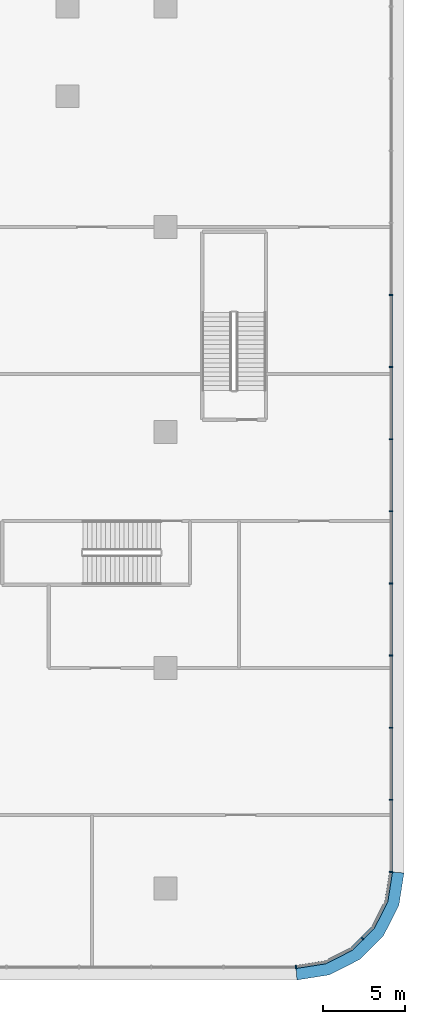
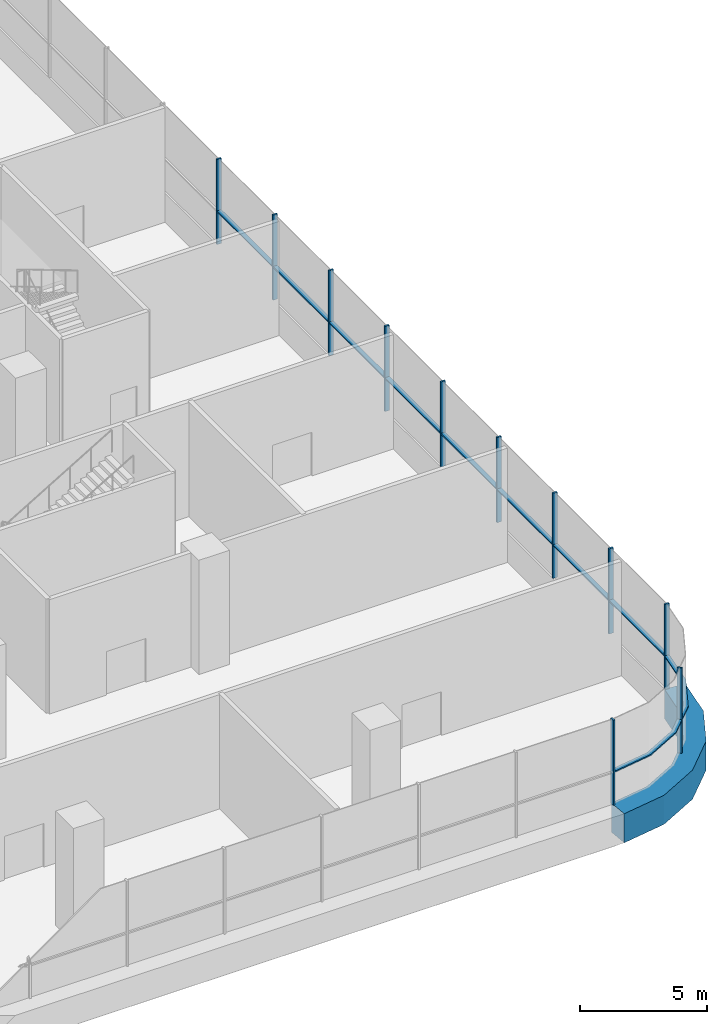
# One storey, part 18 of 52: 22 members, 2 elements without a shape of their own.
"""IFC4 building model written with IfcOpenShell, lengths in metres."""

from ifc_helpers import new_model, si_unit, direction, frame, origin, origin_2d, place, context, subcontext, project, spatial, polyline, rectangle, outline, extrude, material, layer, layer_set, material_profile, profile_set, type_object, element, aggregate, save


model = new_model("IFC4")

# Units and contexts
model_context = context("Model", 3, precision=1e-05, world=origin(), true_north=direction((0.0, 1.0)))
body_context = subcontext(model_context, "Body", "Model", "MODEL_VIEW")
ifc_project = project(units=[si_unit("LENGTHUNIT", "METRE"), si_unit("AREAUNIT", "SQUARE_METRE"), si_unit("VOLUMEUNIT", "CUBIC_METRE"), si_unit("PLANEANGLEUNIT", "RADIAN"), si_unit("MASSUNIT", "GRAM", prefix="KILO")], contexts=[model_context])

# Site, building, storey
site_placement = place(None, origin())
site = spatial("IfcSite", under=ifc_project, at=site_placement, CompositionType="ELEMENT")
building_placement = place(site_placement, origin())
building = spatial("IfcBuilding", under=site, at=building_placement, Name="Tamarind Cross Interchange Tower", CompositionType="ELEMENT")
storey_placement = place(building_placement, frame((0.0, 0.0, 9.0)))
storey = spatial("IfcBuildingStorey", under=building, at=storey_placement, Name="L01", CompositionType="ELEMENT", Elevation=9.0)

# Curtain wall, member
ifc_material_1 = material(Name="Aluminium 6063-T6", Category="aluminium")
ifc_layer = layer(ifc_material_1, 0.199951171875)
ifc_layer_set = layer_set([ifc_layer], Name="Aluminium 6063-T6")
curtain_wall_type = type_object("IfcCurtainWallType", Name="Podium shopfront and station curtain wall", PredefinedType="NOTDEFINED", material=ifc_layer_set)
curtain_wall_1_placement = place(storey_placement, origin())
curtain_wall_1 = element("IfcCurtainWall", 1, at=curtain_wall_1_placement, inside=storey, type_object=curtain_wall_type, Name="CWS-L01-07", PredefinedType="NOTDEFINED")
ifc_material_2 = material(Name="Aluminium and insulated spandrel panel", Category="aluminium")
member_type_1 = type_object("IfcMemberType", Name="Floor-edge blade transom", PredefinedType="USERDEFINED", material=ifc_material_2)
member_1_placement = place(storey_placement, origin())
member_1 = element("IfcMember", 2, at=member_1_placement, type_object=member_type_1, Name="CWT-L01-07", ObjectType="TRANSOM", PredefinedType="USERDEFINED", context=body_context, shape_type="SweptSolid", body=[
    extrude(outline(polyline([(61.976318359375, -58.699951171875), (63.76025390625, -58.41748046875), (65.34814453125, -57.6083984375), (66.6083984375, -56.34814453125), (67.41748046875, -54.76025390625), (67.699951171875, -52.976318359375), (68.60009765625, -53.047119140625), (68.2841796875, -55.041748046875), (67.345458984375, -56.8837890625), (65.8837890625, -58.345458984375), (64.041748046875, -59.2841796875), (62.047119140625, -59.60009765625), (61.976318359375, -58.699951171875)])), origin(), (0.0, 0.0, 1.0), 1.39990234375),
])

# Curtain wall, members
curtain_wall_2_placement = place(storey_placement, origin())
curtain_wall_2 = element("IfcCurtainWall", 3, at=curtain_wall_2_placement, inside=storey, type_object=curtain_wall_type, Name="CWS-L01-00", PredefinedType="NOTDEFINED")
ifc_material_profile = material_profile(ifc_material_1, rectangle(XDim=0.080078125, YDim=0.199951171875, at=origin_2d()), Name="Mullion CW3")
ifc_profile_set = profile_set([ifc_material_profile], Name="Aluminium 6063-T6")
member_type_2 = type_object("IfcMemberType", Name="Mullion CW3", PredefinedType="MULLION", material=ifc_profile_set)
member_2_placement = place(storey_placement, frame((67.800048828125, -52.984375, 1.39990234375), z_axis=(0.0, 0.0, 1.0), x_axis=(0.078459095728, 0.996917333733, 0.0)))
member_2 = element("IfcMember", 4, at=member_2_placement, type_object=member_type_2, Name="CWM-L01-00-00", PredefinedType="MULLION", context=body_context, shape_type="SweptSolid", body=[
    extrude(rectangle(XDim=0.080078125, YDim=0.199951171875, at=origin_2d()), origin(), (0.0, 0.0, 1.0), 4.10009765625),
])
member_3_placement = place(storey_placement, frame((67.800048828125, -48.56884765625, 1.39990234375), z_axis=(0.0, 0.0, 1.0), x_axis=(0.0, 1.0, 0.0)))
member_3 = element("IfcMember", 5, at=member_3_placement, type_object=member_type_2, Name="CWM-L01-00-01", PredefinedType="MULLION", context=body_context, shape_type="SweptSolid", body=[
    extrude(rectangle(XDim=0.080078125, YDim=0.199951171875, at=origin_2d()), origin(), (0.0, 0.0, 1.0), 4.10009765625),
])
member_4_placement = place(storey_placement, frame((67.800048828125, -44.153564453125, 1.39990234375), z_axis=(0.0, 0.0, 1.0), x_axis=(0.0, 1.0, 0.0)))
member_4 = element("IfcMember", 6, at=member_4_placement, type_object=member_type_2, Name="CWM-L01-00-02", PredefinedType="MULLION", context=body_context, shape_type="SweptSolid", body=[
    extrude(rectangle(XDim=0.080078125, YDim=0.199951171875, at=origin_2d()), origin(), (0.0, 0.0, 1.0), 4.10009765625),
])
member_5_placement = place(storey_placement, frame((67.800048828125, -39.73828125, 1.39990234375), z_axis=(0.0, 0.0, 1.0), x_axis=(0.0, 1.0, 0.0)))
member_5 = element("IfcMember", 7, at=member_5_placement, type_object=member_type_2, Name="CWM-L01-00-03", PredefinedType="MULLION", context=body_context, shape_type="SweptSolid", body=[
    extrude(rectangle(XDim=0.080078125, YDim=0.199951171875, at=origin_2d()), origin(), (0.0, 0.0, 1.0), 4.10009765625),
])
member_6_placement = place(storey_placement, frame((67.800048828125, -35.32275390625, 1.39990234375), z_axis=(0.0, 0.0, 1.0), x_axis=(0.0, 1.0, 0.0)))
member_6 = element("IfcMember", 8, at=member_6_placement, type_object=member_type_2, Name="CWM-L01-00-04", PredefinedType="MULLION", context=body_context, shape_type="SweptSolid", body=[
    extrude(rectangle(XDim=0.080078125, YDim=0.199951171875, at=origin_2d()), origin(), (0.0, 0.0, 1.0), 4.10009765625),
])
member_7_placement = place(storey_placement, frame((67.800048828125, -30.907470703125, 1.39990234375), z_axis=(0.0, 0.0, 1.0), x_axis=(0.0, 1.0, 0.0)))
member_7 = element("IfcMember", 9, at=member_7_placement, type_object=member_type_2, Name="CWM-L01-00-05", PredefinedType="MULLION", context=body_context, shape_type="SweptSolid", body=[
    extrude(rectangle(XDim=0.080078125, YDim=0.199951171875, at=origin_2d()), origin(), (0.0, 0.0, 1.0), 4.10009765625),
])
member_8_placement = place(storey_placement, frame((67.800048828125, -26.4921875, 1.39990234375), z_axis=(0.0, 0.0, 1.0), x_axis=(0.0, 1.0, 0.0)))
member_8 = element("IfcMember", 10, at=member_8_placement, type_object=member_type_2, Name="CWM-L01-00-06", PredefinedType="MULLION", context=body_context, shape_type="SweptSolid", body=[
    extrude(rectangle(XDim=0.080078125, YDim=0.199951171875, at=origin_2d()), origin(), (0.0, 0.0, 1.0), 4.10009765625),
])
member_9_placement = place(storey_placement, frame((67.800048828125, -22.07666015625, 1.39990234375), z_axis=(0.0, 0.0, 1.0), x_axis=(0.0, 1.0, 0.0)))
member_9 = element("IfcMember", 11, at=member_9_placement, type_object=member_type_2, Name="CWM-L01-00-07", PredefinedType="MULLION", context=body_context, shape_type="SweptSolid", body=[
    extrude(rectangle(XDim=0.080078125, YDim=0.199951171875, at=origin_2d()), origin(), (0.0, 0.0, 1.0), 4.10009765625),
])
member_10_placement = place(storey_placement, frame((67.800048828125, -17.661376953125, 1.39990234375), z_axis=(0.0, 0.0, 1.0), x_axis=(0.0, 1.0, 0.0)))
member_10 = element("IfcMember", 12, at=member_10_placement, type_object=member_type_2, Name="CWM-L01-00-08", PredefinedType="MULLION", context=body_context, shape_type="SweptSolid", body=[
    extrude(rectangle(XDim=0.080078125, YDim=0.199951171875, at=origin_2d()), origin(), (0.0, 0.0, 1.0), 4.10009765625),
])

# Member
member_11_placement = place(storey_placement, frame((61.984375, -58.800048828125, 1.39990234375), z_axis=(0.0, 0.0, 1.0), x_axis=(0.996917333733, 0.078459095728, 0.0)))
member_11 = element("IfcMember", 13, at=member_11_placement, type_object=member_type_2, Name="CWM-L01-07-00", PredefinedType="MULLION", context=body_context, shape_type="SweptSolid", body=[
    extrude(rectangle(XDim=0.080078125, YDim=0.199951171875, at=origin_2d()), origin(), (0.0, 0.0, 1.0), 4.10009765625),
])

member_12_placement = place(storey_placement, frame((66.049072265625, -57.049072265625, 1.39990234375), z_axis=(0.0, 0.0, 1.0), x_axis=(0.707106781187, 0.707106781187, 0.0)))
member_12 = element("IfcMember", 14, at=member_12_placement, type_object=member_type_2, Name="CWM-L01-07-01", PredefinedType="MULLION", context=body_context, shape_type="SweptSolid", body=[
    extrude(rectangle(XDim=0.080078125, YDim=0.199951171875, at=origin_2d()), origin(), (0.0, 0.0, 1.0), 4.10009765625),
])

member_type_3 = type_object("IfcMemberType", Name="Podium intermediate transom", PredefinedType="USERDEFINED", material=ifc_material_1)
member_13_placement = place(storey_placement, frame((0.0, 0.0, 2.969970703125)))
member_13 = element("IfcMember", 15, at=member_13_placement, type_object=member_type_3, Name="CWT-L01-00-I0-00", ObjectType="TRANSOM", PredefinedType="USERDEFINED", context=body_context, shape_type="SweptSolid", body=[
    extrude(outline(polyline([(67.699951171875, -52.9443359375), (67.699951171875, -48.60888671875), (67.89990234375, -48.60888671875), (67.89990234375, -52.9443359375), (67.699951171875, -52.9443359375)])), origin(), (0.0, 0.0, 1.0), 0.06005859375),
])

member_14_placement = place(storey_placement, frame((0.0, 0.0, 2.969970703125)))
member_14 = element("IfcMember", 16, at=member_14_placement, type_object=member_type_3, Name="CWT-L01-00-I0-01", ObjectType="TRANSOM", PredefinedType="USERDEFINED", context=body_context, shape_type="SweptSolid", body=[
    extrude(outline(polyline([(67.699951171875, -48.52880859375), (67.699951171875, -44.193603515625), (67.89990234375, -44.193603515625), (67.89990234375, -48.52880859375), (67.699951171875, -48.52880859375)])), origin(), (0.0, 0.0, 1.0), 0.06005859375),
])

member_15_placement = place(storey_placement, frame((0.0, 0.0, 2.969970703125)))
member_15 = element("IfcMember", 17, at=member_15_placement, type_object=member_type_3, Name="CWT-L01-00-I0-02", ObjectType="TRANSOM", PredefinedType="USERDEFINED", context=body_context, shape_type="SweptSolid", body=[
    extrude(outline(polyline([(67.699951171875, -44.113525390625), (67.699951171875, -39.778076171875), (67.89990234375, -39.778076171875), (67.89990234375, -44.113525390625), (67.699951171875, -44.113525390625)])), origin(), (0.0, 0.0, 1.0), 0.06005859375),
])

member_16_placement = place(storey_placement, frame((0.0, 0.0, 2.969970703125)))
member_16 = element("IfcMember", 18, at=member_16_placement, type_object=member_type_3, Name="CWT-L01-00-I0-03", ObjectType="TRANSOM", PredefinedType="USERDEFINED", context=body_context, shape_type="SweptSolid", body=[
    extrude(outline(polyline([(67.699951171875, -39.6982421875), (67.699951171875, -35.36279296875), (67.89990234375, -35.36279296875), (67.89990234375, -39.6982421875), (67.699951171875, -39.6982421875)])), origin(), (0.0, 0.0, 1.0), 0.06005859375),
])

member_17_placement = place(storey_placement, frame((0.0, 0.0, 2.969970703125)))
member_17 = element("IfcMember", 19, at=member_17_placement, type_object=member_type_3, Name="CWT-L01-00-I0-04", ObjectType="TRANSOM", PredefinedType="USERDEFINED", context=body_context, shape_type="SweptSolid", body=[
    extrude(outline(polyline([(67.699951171875, -35.282958984375), (67.699951171875, -30.947509765625), (67.89990234375, -30.947509765625), (67.89990234375, -35.282958984375), (67.699951171875, -35.282958984375)])), origin(), (0.0, 0.0, 1.0), 0.06005859375),
])

member_18_placement = place(storey_placement, frame((0.0, 0.0, 2.969970703125)))
member_18 = element("IfcMember", 20, at=member_18_placement, type_object=member_type_3, Name="CWT-L01-00-I0-05", ObjectType="TRANSOM", PredefinedType="USERDEFINED", context=body_context, shape_type="SweptSolid", body=[
    extrude(outline(polyline([(67.699951171875, -30.867431640625), (67.699951171875, -26.5322265625), (67.89990234375, -26.5322265625), (67.89990234375, -30.867431640625), (67.699951171875, -30.867431640625)])), origin(), (0.0, 0.0, 1.0), 0.06005859375),
])

member_19_placement = place(storey_placement, frame((0.0, 0.0, 2.969970703125)))
member_19 = element("IfcMember", 21, at=member_19_placement, type_object=member_type_3, Name="CWT-L01-00-I0-06", ObjectType="TRANSOM", PredefinedType="USERDEFINED", context=body_context, shape_type="SweptSolid", body=[
    extrude(outline(polyline([(67.699951171875, -26.4521484375), (67.699951171875, -22.11669921875), (67.89990234375, -22.11669921875), (67.89990234375, -26.4521484375), (67.699951171875, -26.4521484375)])), origin(), (0.0, 0.0, 1.0), 0.06005859375),
])

member_20_placement = place(storey_placement, frame((0.0, 0.0, 2.969970703125)))
member_20 = element("IfcMember", 22, at=member_20_placement, type_object=member_type_3, Name="CWT-L01-00-I0-07", ObjectType="TRANSOM", PredefinedType="USERDEFINED", context=body_context, shape_type="SweptSolid", body=[
    extrude(outline(polyline([(67.699951171875, -22.036865234375), (67.699951171875, -17.701416015625), (67.89990234375, -17.701416015625), (67.89990234375, -22.036865234375), (67.699951171875, -22.036865234375)])), origin(), (0.0, 0.0, 1.0), 0.06005859375),
])

aggregate(curtain_wall_2, [member_2, member_3, member_4, member_5, member_6, member_7, member_8, member_9, member_10, member_13, member_14, member_15, member_16, member_17, member_18, member_19, member_20])

member_21_placement = place(storey_placement, frame((0.0, 0.0, 2.969970703125)))
member_21 = element("IfcMember", 23, at=member_21_placement, type_object=member_type_3, Name="CWT-L01-07-I0-00", ObjectType="TRANSOM", PredefinedType="USERDEFINED", context=body_context, shape_type="SweptSolid", body=[
    extrude(outline(polyline([(62.008056640625, -58.695068359375), (63.76025390625, -58.41748046875), (65.34814453125, -57.6083984375), (65.949951171875, -57.006591796875), (66.09130859375, -57.14794921875), (65.46728515625, -57.772216796875), (63.82275390625, -58.610107421875), (62.039306640625, -58.892578125), (62.008056640625, -58.695068359375)])), origin(), (0.0, 0.0, 1.0), 0.06005859375),
])

member_22_placement = place(storey_placement, frame((0.0, 0.0, 2.969970703125)))
member_22 = element("IfcMember", 24, at=member_22_placement, type_object=member_type_3, Name="CWT-L01-07-I0-01", ObjectType="TRANSOM", PredefinedType="USERDEFINED", context=body_context, shape_type="SweptSolid", body=[
    extrude(outline(polyline([(66.006591796875, -56.949951171875), (66.6083984375, -56.34814453125), (67.41748046875, -54.76025390625), (67.695068359375, -53.008056640625), (67.892578125, -53.039306640625), (67.610107421875, -54.82275390625), (66.772216796875, -56.46728515625), (66.14794921875, -57.09130859375), (66.006591796875, -56.949951171875)])), origin(), (0.0, 0.0, 1.0), 0.06005859375),
])

aggregate(curtain_wall_1, [member_11, member_12, member_21, member_22, member_1])

save(model, "model.ifc")
